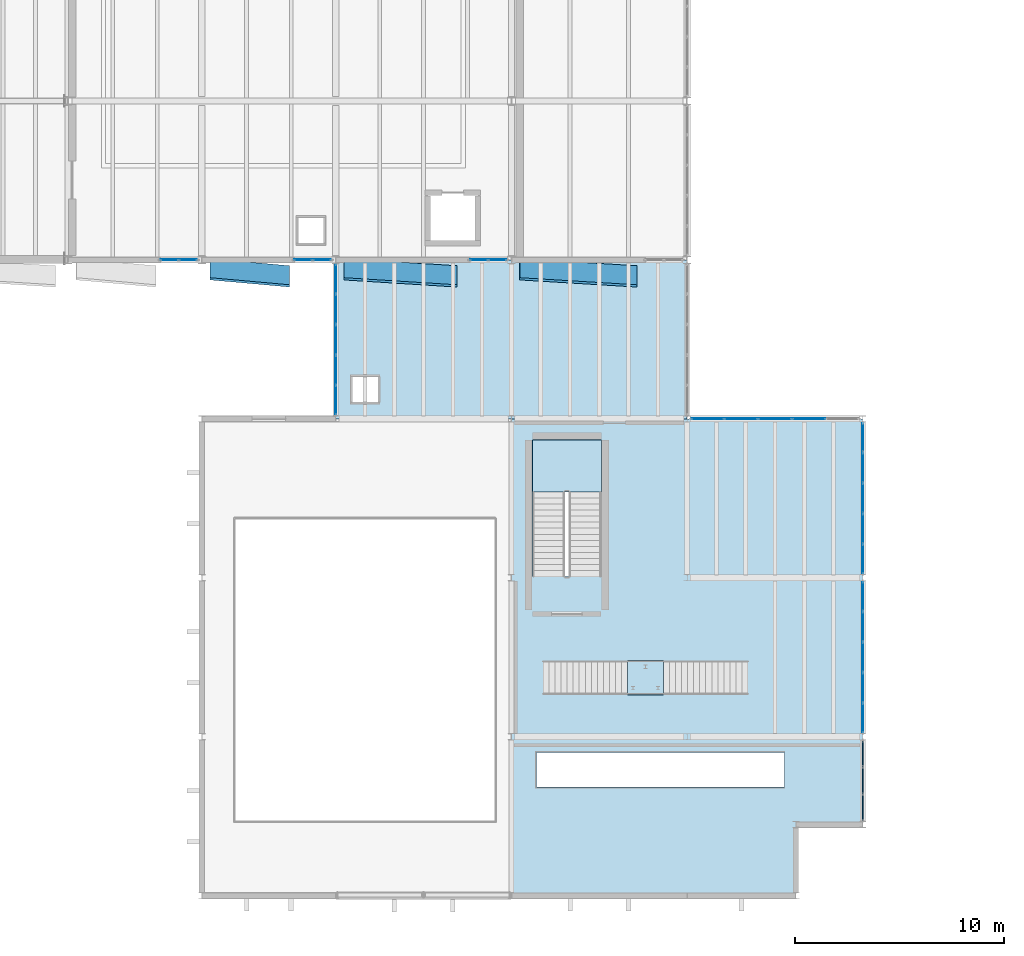
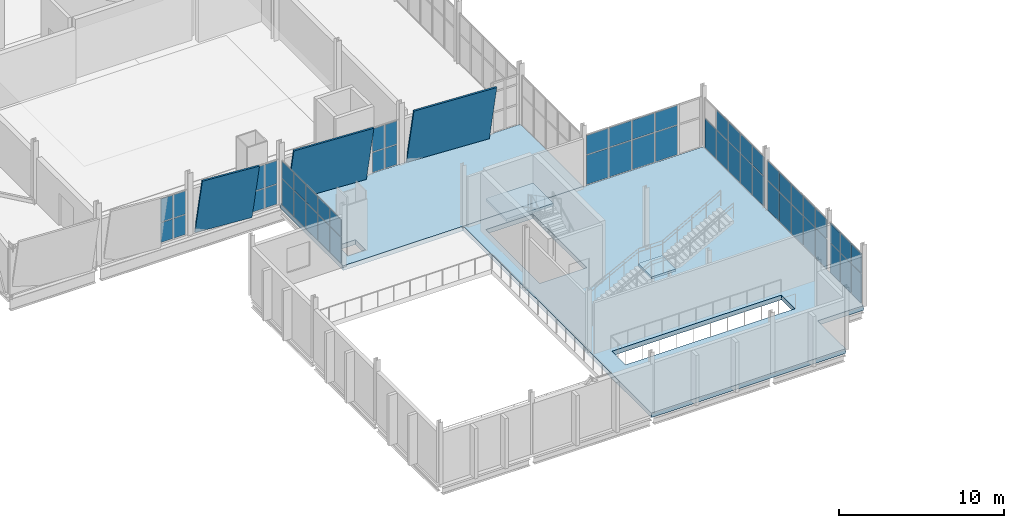
# One storey, part 127 of 172: 58 plates, 4 slabs, 10 elements without a shape of their own.
"""IFC4 building model written with IfcOpenShell, lengths in metres."""

from ifc_helpers import new_model, si_unit, direction, frame, origin, origin_2d, place, context, subcontext, project, spatial, polyline, rectangle, outline, extrude, material, layer, layer_set, type_object, element, aggregate, save


model = new_model("IFC4")

# Units and contexts
model_context = context("Model", 3, precision=1e-05, world=origin(), true_north=direction((0.0, 1.0)))
body_context = subcontext(model_context, "Body", "Model", "MODEL_VIEW")
ifc_project = project(units=[si_unit("LENGTHUNIT", "METRE"), si_unit("AREAUNIT", "SQUARE_METRE"), si_unit("VOLUMEUNIT", "CUBIC_METRE"), si_unit("PLANEANGLEUNIT", "RADIAN"), si_unit("MASSUNIT", "GRAM", prefix="KILO")], contexts=[model_context])

# Site, building, storey
site_placement = place(None, origin())
site = spatial("IfcSite", under=ifc_project, at=site_placement, CompositionType="ELEMENT")
building_placement = place(site_placement, origin())
building = spatial("IfcBuilding", under=site, at=building_placement, Name="Shengluoqiao Park Theatre", CompositionType="ELEMENT")
storey_placement = place(building_placement, frame((0.0, 0.0, 5.39990234375)))
storey = spatial("IfcBuildingStorey", under=building, at=storey_placement, Name="L01", CompositionType="ELEMENT", Elevation=5.39990234375)

# Plates
ifc_material_1 = material(Name="Precast concrete C45", Category="concrete")
ifc_layer_1 = layer(ifc_material_1, 0.110107421875, Name="Precast concrete C45")
ifc_layer_set_1 = layer_set([ifc_layer_1], Name="Precast concrete C45")
plate_type_1 = type_object("IfcPlateType", Name="ENV-CRYS-CP-110", PredefinedType="USERDEFINED", material=ifc_layer_set_1)
plate_1_placement = place(storey_placement, frame((13.199951171875, 30.4599609375, 0.0), z_axis=(0.08723851768, 0.975129283801, 0.203745726105), x_axis=(0.996022118614, -0.089106336429, -6.356847e-06)))
element("IfcPlate", 1, at=plate_1_placement, inside=storey, type_object=plate_type_1, Name="V3 South L01 Tilted White Precast Crystal Panel 015", ObjectType="FACADE PANEL", PredefinedType="USERDEFINED", context=body_context, shape_type="SweptSolid", body=[
    extrude(outline(polyline([(0.0, 0.0), (3.8152149161454947, 0.0), (3.8963749065321047, -4.453550580614853), (0.08113823590994293, -4.453501035740747), (0.0, 0.0)])), origin(), (0.0, 0.0, -1.0), 0.110107421875),
])
plate_2_placement = place(storey_placement, frame((19.60009765625, 30.4599609375, 0.0), z_axis=(0.061510229157, 0.977007718847, 0.204138210587), x_axis=(0.998024090568, -0.062832432908, -4.499747e-06)))
element("IfcPlate", 2, at=plate_2_placement, inside=storey, type_object=plate_type_1, Name="V3 South L01 Tilted White Precast Crystal Panel 016", ObjectType="FACADE PANEL", PredefinedType="USERDEFINED", context=body_context, shape_type="SweptSolid", body=[
    extrude(outline(polyline([(0.0, 0.0), (5.410585835399618, 0.0), (5.467814907332268, -4.453922378242074), (0.057213731983209656, -4.453872638220405), (0.0, 0.0)])), origin(), (0.0, 0.0, -1.0), 0.110107421875),
])
plate_3_placement = place(storey_placement, frame((28.0, 30.4599609375, 0.0), z_axis=(0.059319208626, 0.977137527794, 0.204165333163), x_axis=(0.99816245502, -0.060594664537, -4.340642e-06)))
element("IfcPlate", 3, at=plate_3_placement, inside=storey, type_object=plate_type_1, Name="V3 South L01 Tilted White Precast Crystal Panel 017", ObjectType="FACADE PANEL", PredefinedType="USERDEFINED", context=body_context, shape_type="SweptSolid", body=[
    extrude(outline(polyline([(0.0, 0.0), (5.6103999429384, 0.0), (5.6655908043965715, -4.453948101054561), (0.05517606783889902, -4.453898347532182), (0.0, 0.0)])), origin(), (0.0, 0.0, -1.0), 0.110107421875),
])

# Curtain wall, plates
ifc_material_2 = material(Name="Aluminium 6063-T6", Category="aluminium")
curtain_wall_type_1 = type_object("IfcCurtainWallType", Name="ENV-CW-STUDIO", PredefinedType="NOTDEFINED", material=ifc_material_2)
curtain_wall_1_placement = place(storey_placement, origin())
curtain_wall_1 = element("IfcCurtainWall", 4, at=curtain_wall_1_placement, inside=storey, type_object=curtain_wall_type_1, Name="L01 Curtain Wall CWX-L01-0016", PredefinedType="NOTDEFINED")
ifc_material_3 = material(Name="Insulated glass", Category="glass")
ifc_layer_2 = layer(ifc_material_3, 0.0380859375, Name="Insulated glass")
ifc_layer_set_2 = layer_set([ifc_layer_2], Name="Insulated glass")
plate_type_2 = type_object("IfcPlateType", Name="ENV-GLZ-GL-38", PredefinedType="CURTAIN_PANEL", material=ifc_layer_set_2)
plate_4_placement = place(storey_placement, frame((11.24462890625, 30.39990234375, 0.06005859375), z_axis=(0.0, 0.0, 1.0), x_axis=(1.0, 0.0, 0.0)))
plate_4 = element("IfcPlate", 5, at=plate_4_placement, type_object=plate_type_2, Name="CW-02 panel 1.1", PredefinedType="CURTAIN_PANEL", context=body_context, shape_type="SweptSolid", body=[
    extrude(rectangle(XDim=0.83740234375, YDim=0.0380859375, at=origin_2d()), origin(), (0.0, 0.0, 1.0), 1.4599609375),
])
plate_5_placement = place(storey_placement, frame((11.24462890625, 30.39990234375, 1.580078125), z_axis=(0.0, 0.0, 1.0), x_axis=(1.0, 0.0, 0.0)))
plate_5 = element("IfcPlate", 6, at=plate_5_placement, type_object=plate_type_2, Name="CW-02 panel 1.2", PredefinedType="CURTAIN_PANEL", context=body_context, shape_type="SweptSolid", body=[
    extrude(rectangle(XDim=0.83740234375, YDim=0.0380859375, at=origin_2d()), origin(), (0.0, 0.0, 1.0), 1.697998046875),
])
plate_6_placement = place(storey_placement, frame((12.142333984375, 30.39990234375, 0.06005859375), z_axis=(0.0, 0.0, 1.0), x_axis=(1.0, 0.0, 0.0)))
plate_6 = element("IfcPlate", 7, at=plate_6_placement, type_object=plate_type_2, Name="CW-02 panel 2.1", PredefinedType="CURTAIN_PANEL", context=body_context, shape_type="SweptSolid", body=[
    extrude(rectangle(XDim=0.83740234375, YDim=0.0380859375, at=origin_2d()), origin(), (0.0, 0.0, 1.0), 1.4599609375),
])
plate_7_placement = place(storey_placement, frame((12.142333984375, 30.39990234375, 1.580078125), z_axis=(0.0, 0.0, 1.0), x_axis=(1.0, 0.0, 0.0)))
plate_7 = element("IfcPlate", 8, at=plate_7_placement, type_object=plate_type_2, Name="CW-02 panel 2.2", PredefinedType="CURTAIN_PANEL", context=body_context, shape_type="SweptSolid", body=[
    extrude(rectangle(XDim=0.83740234375, YDim=0.0380859375, at=origin_2d()), origin(), (0.0, 0.0, 1.0), 1.697998046875),
])
aggregate(curtain_wall_1, [plate_4, plate_5, plate_6, plate_7])

curtain_wall_2_placement = place(storey_placement, origin())
curtain_wall_2 = element("IfcCurtainWall", 9, at=curtain_wall_2_placement, inside=storey, type_object=curtain_wall_type_1, Name="L01 Curtain Wall CWX-L01-0017", PredefinedType="NOTDEFINED")
plate_8_placement = place(storey_placement, frame((17.644775390625, 30.39990234375, 0.06005859375), z_axis=(0.0, 0.0, 1.0), x_axis=(1.0, 0.0, 0.0)))
plate_8 = element("IfcPlate", 10, at=plate_8_placement, type_object=plate_type_2, Name="CW-02 panel 1.1", PredefinedType="CURTAIN_PANEL", context=body_context, shape_type="SweptSolid", body=[
    extrude(rectangle(XDim=0.83740234375, YDim=0.0380859375, at=origin_2d()), origin(), (0.0, 0.0, 1.0), 1.4599609375),
])
plate_9_placement = place(storey_placement, frame((17.644775390625, 30.39990234375, 1.580078125), z_axis=(0.0, 0.0, 1.0), x_axis=(1.0, 0.0, 0.0)))
plate_9 = element("IfcPlate", 11, at=plate_9_placement, type_object=plate_type_2, Name="CW-02 panel 1.2", PredefinedType="CURTAIN_PANEL", context=body_context, shape_type="SweptSolid", body=[
    extrude(rectangle(XDim=0.83740234375, YDim=0.0380859375, at=origin_2d()), origin(), (0.0, 0.0, 1.0), 1.697998046875),
])
plate_10_placement = place(storey_placement, frame((18.542236328125, 30.39990234375, 0.06005859375), z_axis=(0.0, 0.0, 1.0), x_axis=(1.0, 0.0, 0.0)))
plate_10 = element("IfcPlate", 12, at=plate_10_placement, type_object=plate_type_2, Name="CW-02 panel 2.1", PredefinedType="CURTAIN_PANEL", context=body_context, shape_type="SweptSolid", body=[
    extrude(rectangle(XDim=0.83740234375, YDim=0.0380859375, at=origin_2d()), origin(), (0.0, 0.0, 1.0), 1.4599609375),
])
plate_11_placement = place(storey_placement, frame((18.542236328125, 30.39990234375, 1.580078125), z_axis=(0.0, 0.0, 1.0), x_axis=(1.0, 0.0, 0.0)))
plate_11 = element("IfcPlate", 13, at=plate_11_placement, type_object=plate_type_2, Name="CW-02 panel 2.2", PredefinedType="CURTAIN_PANEL", context=body_context, shape_type="SweptSolid", body=[
    extrude(rectangle(XDim=0.83740234375, YDim=0.0380859375, at=origin_2d()), origin(), (0.0, 0.0, 1.0), 1.697998046875),
])
aggregate(curtain_wall_2, [plate_8, plate_9, plate_10, plate_11])

curtain_wall_3_placement = place(storey_placement, origin())
curtain_wall_3 = element("IfcCurtainWall", 14, at=curtain_wall_3_placement, inside=storey, type_object=curtain_wall_type_1, Name="L01 Curtain Wall CWX-L01-0018", PredefinedType="NOTDEFINED")
plate_12_placement = place(storey_placement, frame((26.044677734375, 30.39990234375, 0.06005859375), z_axis=(0.0, 0.0, 1.0), x_axis=(1.0, 0.0, 0.0)))
plate_12 = element("IfcPlate", 15, at=plate_12_placement, type_object=plate_type_2, Name="CW-02 panel 1.1", PredefinedType="CURTAIN_PANEL", context=body_context, shape_type="SweptSolid", body=[
    extrude(rectangle(XDim=0.83740234375, YDim=0.0380859375, at=origin_2d()), origin(), (0.0, 0.0, 1.0), 1.4599609375),
])
plate_13_placement = place(storey_placement, frame((26.044677734375, 30.39990234375, 1.580078125), z_axis=(0.0, 0.0, 1.0), x_axis=(1.0, 0.0, 0.0)))
plate_13 = element("IfcPlate", 16, at=plate_13_placement, type_object=plate_type_2, Name="CW-02 panel 1.2", PredefinedType="CURTAIN_PANEL", context=body_context, shape_type="SweptSolid", body=[
    extrude(rectangle(XDim=0.83740234375, YDim=0.0380859375, at=origin_2d()), origin(), (0.0, 0.0, 1.0), 1.697998046875),
])
plate_14_placement = place(storey_placement, frame((26.942138671875, 30.39990234375, 0.06005859375), z_axis=(0.0, 0.0, 1.0), x_axis=(1.0, 0.0, 0.0)))
plate_14 = element("IfcPlate", 17, at=plate_14_placement, type_object=plate_type_2, Name="CW-02 panel 2.1", PredefinedType="CURTAIN_PANEL", context=body_context, shape_type="SweptSolid", body=[
    extrude(rectangle(XDim=0.83740234375, YDim=0.0380859375, at=origin_2d()), origin(), (0.0, 0.0, 1.0), 1.4599609375),
])
plate_15_placement = place(storey_placement, frame((26.942138671875, 30.39990234375, 1.580078125), z_axis=(0.0, 0.0, 1.0), x_axis=(1.0, 0.0, 0.0)))
plate_15 = element("IfcPlate", 18, at=plate_15_placement, type_object=plate_type_2, Name="CW-02 panel 2.2", PredefinedType="CURTAIN_PANEL", context=body_context, shape_type="SweptSolid", body=[
    extrude(rectangle(XDim=0.83740234375, YDim=0.0380859375, at=origin_2d()), origin(), (0.0, 0.0, 1.0), 1.697998046875),
])
aggregate(curtain_wall_3, [plate_12, plate_13, plate_14, plate_15])

curtain_wall_type_2 = type_object("IfcCurtainWallType", Name="ENV-CW-COURT", PredefinedType="NOTDEFINED", material=ifc_material_2)
curtain_wall_4_placement = place(storey_placement, origin())
curtain_wall_4 = element("IfcCurtainWall", 19, at=curtain_wall_4_placement, inside=storey, type_object=curtain_wall_type_2, Name="L01 Curtain Wall CWX-L01-0156", PredefinedType="NOTDEFINED")
plate_16_placement = place(storey_placement, frame((44.39990234375, 8.498291015625, 0.06005859375), z_axis=(0.0, 0.0, 1.0), x_axis=(0.0, 1.0, 0.0)))
plate_16 = element("IfcPlate", 20, at=plate_16_placement, type_object=plate_type_2, Name="CW-05 panel 1.1", PredefinedType="CURTAIN_PANEL", context=body_context, shape_type="SweptSolid", body=[
    extrude(rectangle(XDim=1.368408203125, YDim=0.0380859375, at=origin_2d()), origin(), (0.0, 0.0, 1.0), 2.1640625),
])
plate_17_placement = place(storey_placement, frame((44.39990234375, 8.498291015625, 2.283935546875), z_axis=(0.0, 0.0, 1.0), x_axis=(0.0, 1.0, 0.0)))
plate_17 = element("IfcPlate", 21, at=plate_17_placement, type_object=plate_type_2, Name="CW-05 panel 1.2", PredefinedType="CURTAIN_PANEL", context=body_context, shape_type="SweptSolid", body=[
    extrude(rectangle(XDim=1.368408203125, YDim=0.0380859375, at=origin_2d()), origin(), (0.0, 0.0, 1.0), 1.412109375),
])
plate_18_placement = place(storey_placement, frame((44.39990234375, 9.941650390625, 0.06005859375), z_axis=(0.0, 0.0, 1.0), x_axis=(0.0, 1.0, 0.0)))
plate_18 = element("IfcPlate", 22, at=plate_18_placement, type_object=plate_type_2, Name="CW-05 panel 2.1", PredefinedType="CURTAIN_PANEL", context=body_context, shape_type="SweptSolid", body=[
    extrude(rectangle(XDim=1.3984375, YDim=0.0380859375, at=origin_2d()), origin(), (0.0, 0.0, 1.0), 2.1640625),
])
plate_19_placement = place(storey_placement, frame((44.39990234375, 9.941650390625, 2.283935546875), z_axis=(0.0, 0.0, 1.0), x_axis=(0.0, 1.0, 0.0)))
plate_19 = element("IfcPlate", 23, at=plate_19_placement, type_object=plate_type_2, Name="CW-05 panel 2.2", PredefinedType="CURTAIN_PANEL", context=body_context, shape_type="SweptSolid", body=[
    extrude(rectangle(XDim=1.3984375, YDim=0.0380859375, at=origin_2d()), origin(), (0.0, 0.0, 1.0), 1.412109375),
])
plate_20_placement = place(storey_placement, frame((44.39990234375, 11.39990234375, 0.06005859375), z_axis=(0.0, 0.0, 1.0), x_axis=(0.0, 1.0, 0.0)))
plate_20 = element("IfcPlate", 24, at=plate_20_placement, type_object=plate_type_2, Name="CW-05 panel 3.1", PredefinedType="CURTAIN_PANEL", context=body_context, shape_type="SweptSolid", body=[
    extrude(rectangle(XDim=1.3984375, YDim=0.0380859375, at=origin_2d()), origin(), (0.0, 0.0, 1.0), 2.1640625),
])
plate_21_placement = place(storey_placement, frame((44.39990234375, 11.39990234375, 2.283935546875), z_axis=(0.0, 0.0, 1.0), x_axis=(0.0, 1.0, 0.0)))
plate_21 = element("IfcPlate", 25, at=plate_21_placement, type_object=plate_type_2, Name="CW-05 panel 3.2", PredefinedType="CURTAIN_PANEL", context=body_context, shape_type="SweptSolid", body=[
    extrude(rectangle(XDim=1.3984375, YDim=0.0380859375, at=origin_2d()), origin(), (0.0, 0.0, 1.0), 1.412109375),
])
plate_22_placement = place(storey_placement, frame((44.39990234375, 12.8583984375, 0.06005859375), z_axis=(0.0, 0.0, 1.0), x_axis=(0.0, 1.0, 0.0)))
plate_22 = element("IfcPlate", 26, at=plate_22_placement, type_object=plate_type_2, Name="CW-05 panel 4.1", PredefinedType="CURTAIN_PANEL", context=body_context, shape_type="SweptSolid", body=[
    extrude(rectangle(XDim=1.3984375, YDim=0.0380859375, at=origin_2d()), origin(), (0.0, 0.0, 1.0), 2.1640625),
])
plate_23_placement = place(storey_placement, frame((44.39990234375, 12.8583984375, 2.283935546875), z_axis=(0.0, 0.0, 1.0), x_axis=(0.0, 1.0, 0.0)))
plate_23 = element("IfcPlate", 27, at=plate_23_placement, type_object=plate_type_2, Name="CW-05 panel 4.2", PredefinedType="CURTAIN_PANEL", context=body_context, shape_type="SweptSolid", body=[
    extrude(rectangle(XDim=1.3984375, YDim=0.0380859375, at=origin_2d()), origin(), (0.0, 0.0, 1.0), 1.412109375),
])
plate_24_placement = place(storey_placement, frame((44.39990234375, 14.3017578125, 0.06005859375), z_axis=(0.0, 0.0, 1.0), x_axis=(0.0, 1.0, 0.0)))
plate_24 = element("IfcPlate", 28, at=plate_24_placement, type_object=plate_type_2, Name="CW-05 panel 5.1", PredefinedType="CURTAIN_PANEL", context=body_context, shape_type="SweptSolid", body=[
    extrude(rectangle(XDim=1.368408203125, YDim=0.0380859375, at=origin_2d()), origin(), (0.0, 0.0, 1.0), 2.1640625),
])
plate_25_placement = place(storey_placement, frame((44.39990234375, 14.3017578125, 2.283935546875), z_axis=(0.0, 0.0, 1.0), x_axis=(0.0, 1.0, 0.0)))
plate_25 = element("IfcPlate", 29, at=plate_25_placement, type_object=plate_type_2, Name="CW-05 panel 5.2", PredefinedType="CURTAIN_PANEL", context=body_context, shape_type="SweptSolid", body=[
    extrude(rectangle(XDim=1.368408203125, YDim=0.0380859375, at=origin_2d()), origin(), (0.0, 0.0, 1.0), 1.412109375),
])
aggregate(curtain_wall_4, [plate_16, plate_17, plate_18, plate_19, plate_20, plate_21, plate_22, plate_23, plate_24, plate_25])

curtain_wall_5_placement = place(storey_placement, origin())
curtain_wall_5 = element("IfcCurtainWall", 30, at=curtain_wall_5_placement, inside=storey, type_object=curtain_wall_type_2, Name="L01 Curtain Wall CWX-L01-0157", PredefinedType="NOTDEFINED")
plate_26_placement = place(storey_placement, frame((44.39990234375, 16.09814453125, 0.06005859375), z_axis=(0.0, 0.0, 1.0), x_axis=(0.0, 1.0, 0.0)))
plate_26 = element("IfcPlate", 31, at=plate_26_placement, type_object=plate_type_2, Name="CW-05 panel 1.1", PredefinedType="CURTAIN_PANEL", context=body_context, shape_type="SweptSolid", body=[
    extrude(rectangle(XDim=1.368408203125, YDim=0.0380859375, at=origin_2d()), origin(), (0.0, 0.0, 1.0), 2.1640625),
])
plate_27_placement = place(storey_placement, frame((44.39990234375, 16.09814453125, 2.283935546875), z_axis=(0.0, 0.0, 1.0), x_axis=(0.0, 1.0, 0.0)))
plate_27 = element("IfcPlate", 32, at=plate_27_placement, type_object=plate_type_2, Name="CW-05 panel 1.2", PredefinedType="CURTAIN_PANEL", context=body_context, shape_type="SweptSolid", body=[
    extrude(rectangle(XDim=1.368408203125, YDim=0.0380859375, at=origin_2d()), origin(), (0.0, 0.0, 1.0), 1.412109375),
])
plate_28_placement = place(storey_placement, frame((44.39990234375, 17.54150390625, 0.06005859375), z_axis=(0.0, 0.0, 1.0), x_axis=(0.0, 1.0, 0.0)))
plate_28 = element("IfcPlate", 33, at=plate_28_placement, type_object=plate_type_2, Name="CW-05 panel 2.1", PredefinedType="CURTAIN_PANEL", context=body_context, shape_type="SweptSolid", body=[
    extrude(rectangle(XDim=1.3984375, YDim=0.0380859375, at=origin_2d()), origin(), (0.0, 0.0, 1.0), 2.1640625),
])
plate_29_placement = place(storey_placement, frame((44.39990234375, 17.54150390625, 2.283935546875), z_axis=(0.0, 0.0, 1.0), x_axis=(0.0, 1.0, 0.0)))
plate_29 = element("IfcPlate", 34, at=plate_29_placement, type_object=plate_type_2, Name="CW-05 panel 2.2", PredefinedType="CURTAIN_PANEL", context=body_context, shape_type="SweptSolid", body=[
    extrude(rectangle(XDim=1.3984375, YDim=0.0380859375, at=origin_2d()), origin(), (0.0, 0.0, 1.0), 1.412109375),
])
plate_30_placement = place(storey_placement, frame((44.39990234375, 19.0, 0.06005859375), z_axis=(0.0, 0.0, 1.0), x_axis=(0.0, 1.0, 0.0)))
plate_30 = element("IfcPlate", 35, at=plate_30_placement, type_object=plate_type_2, Name="CW-05 panel 3.1", PredefinedType="CURTAIN_PANEL", context=body_context, shape_type="SweptSolid", body=[
    extrude(rectangle(XDim=1.3984375, YDim=0.0380859375, at=origin_2d()), origin(), (0.0, 0.0, 1.0), 2.1640625),
])
plate_31_placement = place(storey_placement, frame((44.39990234375, 19.0, 2.283935546875), z_axis=(0.0, 0.0, 1.0), x_axis=(0.0, 1.0, 0.0)))
plate_31 = element("IfcPlate", 36, at=plate_31_placement, type_object=plate_type_2, Name="CW-05 panel 3.2", PredefinedType="CURTAIN_PANEL", context=body_context, shape_type="SweptSolid", body=[
    extrude(rectangle(XDim=1.3984375, YDim=0.0380859375, at=origin_2d()), origin(), (0.0, 0.0, 1.0), 1.412109375),
])
plate_32_placement = place(storey_placement, frame((44.39990234375, 20.45849609375, 0.06005859375), z_axis=(0.0, 0.0, 1.0), x_axis=(0.0, 1.0, 0.0)))
plate_32 = element("IfcPlate", 37, at=plate_32_placement, type_object=plate_type_2, Name="CW-05 panel 4.1", PredefinedType="CURTAIN_PANEL", context=body_context, shape_type="SweptSolid", body=[
    extrude(rectangle(XDim=1.3984375, YDim=0.0380859375, at=origin_2d()), origin(), (0.0, 0.0, 1.0), 2.1640625),
])
plate_33_placement = place(storey_placement, frame((44.39990234375, 20.45849609375, 2.283935546875), z_axis=(0.0, 0.0, 1.0), x_axis=(0.0, 1.0, 0.0)))
plate_33 = element("IfcPlate", 38, at=plate_33_placement, type_object=plate_type_2, Name="CW-05 panel 4.2", PredefinedType="CURTAIN_PANEL", context=body_context, shape_type="SweptSolid", body=[
    extrude(rectangle(XDim=1.3984375, YDim=0.0380859375, at=origin_2d()), origin(), (0.0, 0.0, 1.0), 1.412109375),
])
plate_34_placement = place(storey_placement, frame((44.39990234375, 21.90185546875, 0.06005859375), z_axis=(0.0, 0.0, 1.0), x_axis=(0.0, 1.0, 0.0)))
plate_34 = element("IfcPlate", 39, at=plate_34_placement, type_object=plate_type_2, Name="CW-05 panel 5.1", PredefinedType="CURTAIN_PANEL", context=body_context, shape_type="SweptSolid", body=[
    extrude(rectangle(XDim=1.368408203125, YDim=0.0380859375, at=origin_2d()), origin(), (0.0, 0.0, 1.0), 2.1640625),
])
aggregate(curtain_wall_5, [plate_26, plate_27, plate_28, plate_29, plate_30, plate_31, plate_32, plate_33, plate_34])

curtain_wall_6_placement = place(storey_placement, origin())
curtain_wall_6 = element("IfcCurtainWall", 40, at=curtain_wall_6_placement, inside=storey, type_object=curtain_wall_type_2, Name="L01 Curtain Wall CWX-L01-0158", PredefinedType="NOTDEFINED")
plate_35_placement = place(storey_placement, frame((36.978271484375, 22.800048828125, 0.06005859375), z_axis=(0.0, 0.0, 1.0), x_axis=(1.0, 0.0, 0.0)))
plate_35 = element("IfcPlate", 41, at=plate_35_placement, type_object=plate_type_2, Name="CW-05 panel 1.1", PredefinedType="CURTAIN_PANEL", context=body_context, shape_type="SweptSolid", body=[
    extrude(rectangle(XDim=1.5283203125, YDim=0.0380859375, at=origin_2d()), origin(), (0.0, 0.0, 1.0), 2.1640625),
])
plate_36_placement = place(storey_placement, frame((36.978271484375, 22.800048828125, 2.283935546875), z_axis=(0.0, 0.0, 1.0), x_axis=(1.0, 0.0, 0.0)))
plate_36 = element("IfcPlate", 42, at=plate_36_placement, type_object=plate_type_2, Name="CW-05 panel 1.2", PredefinedType="CURTAIN_PANEL", context=body_context, shape_type="SweptSolid", body=[
    extrude(rectangle(XDim=1.5283203125, YDim=0.0380859375, at=origin_2d()), origin(), (0.0, 0.0, 1.0), 1.412109375),
])
plate_37_placement = place(storey_placement, frame((38.58154296875, 22.800048828125, 0.06005859375), z_axis=(0.0, 0.0, 1.0), x_axis=(1.0, 0.0, 0.0)))
plate_37 = element("IfcPlate", 43, at=plate_37_placement, type_object=plate_type_2, Name="CW-05 panel 2.1", PredefinedType="CURTAIN_PANEL", context=body_context, shape_type="SweptSolid", body=[
    extrude(rectangle(XDim=1.558349609375, YDim=0.0380859375, at=origin_2d()), origin(), (0.0, 0.0, 1.0), 2.1640625),
])
plate_38_placement = place(storey_placement, frame((38.58154296875, 22.800048828125, 2.283935546875), z_axis=(0.0, 0.0, 1.0), x_axis=(1.0, 0.0, 0.0)))
plate_38 = element("IfcPlate", 44, at=plate_38_placement, type_object=plate_type_2, Name="CW-05 panel 2.2", PredefinedType="CURTAIN_PANEL", context=body_context, shape_type="SweptSolid", body=[
    extrude(rectangle(XDim=1.558349609375, YDim=0.0380859375, at=origin_2d()), origin(), (0.0, 0.0, 1.0), 1.412109375),
])
plate_39_placement = place(storey_placement, frame((40.199951171875, 22.800048828125, 0.06005859375), z_axis=(0.0, 0.0, 1.0), x_axis=(1.0, 0.0, 0.0)))
plate_39 = element("IfcPlate", 45, at=plate_39_placement, type_object=plate_type_2, Name="CW-05 panel 3.1", PredefinedType="CURTAIN_PANEL", context=body_context, shape_type="SweptSolid", body=[
    extrude(rectangle(XDim=1.558349609375, YDim=0.0380859375, at=origin_2d()), origin(), (0.0, 0.0, 1.0), 2.1640625),
])
plate_40_placement = place(storey_placement, frame((40.199951171875, 22.800048828125, 2.283935546875), z_axis=(0.0, 0.0, 1.0), x_axis=(1.0, 0.0, 0.0)))
plate_40 = element("IfcPlate", 46, at=plate_40_placement, type_object=plate_type_2, Name="CW-05 panel 3.2", PredefinedType="CURTAIN_PANEL", context=body_context, shape_type="SweptSolid", body=[
    extrude(rectangle(XDim=1.558349609375, YDim=0.0380859375, at=origin_2d()), origin(), (0.0, 0.0, 1.0), 1.412109375),
])
plate_41_placement = place(storey_placement, frame((41.818359375, 22.800048828125, 0.06005859375), z_axis=(0.0, 0.0, 1.0), x_axis=(1.0, 0.0, 0.0)))
plate_41 = element("IfcPlate", 47, at=plate_41_placement, type_object=plate_type_2, Name="CW-05 panel 4.1", PredefinedType="CURTAIN_PANEL", context=body_context, shape_type="SweptSolid", body=[
    extrude(rectangle(XDim=1.558349609375, YDim=0.0380859375, at=origin_2d()), origin(), (0.0, 0.0, 1.0), 2.1640625),
])
plate_42_placement = place(storey_placement, frame((41.818359375, 22.800048828125, 2.283935546875), z_axis=(0.0, 0.0, 1.0), x_axis=(1.0, 0.0, 0.0)))
plate_42 = element("IfcPlate", 48, at=plate_42_placement, type_object=plate_type_2, Name="CW-05 panel 4.2", PredefinedType="CURTAIN_PANEL", context=body_context, shape_type="SweptSolid", body=[
    extrude(rectangle(XDim=1.558349609375, YDim=0.0380859375, at=origin_2d()), origin(), (0.0, 0.0, 1.0), 1.412109375),
])
aggregate(curtain_wall_6, [plate_35, plate_36, plate_37, plate_38, plate_39, plate_40, plate_41, plate_42])

curtain_wall_7_placement = place(storey_placement, origin())
curtain_wall_7 = element("IfcCurtainWall", 49, at=curtain_wall_7_placement, inside=storey, type_object=curtain_wall_type_2, Name="L01 Curtain Wall CWX-L01-0159", PredefinedType="NOTDEFINED")
plate_43_placement = place(storey_placement, frame((19.199951171875, 23.69580078125, 0.06005859375), z_axis=(0.0, 0.0, 1.0), x_axis=(0.0, 1.0, 0.0)))
plate_43 = element("IfcPlate", 50, at=plate_43_placement, type_object=plate_type_2, Name="CW-05 panel 1.1", PredefinedType="CURTAIN_PANEL", context=body_context, shape_type="SweptSolid", body=[
    extrude(rectangle(XDim=1.36328125, YDim=0.0380859375, at=origin_2d()), origin(), (0.0, 0.0, 1.0), 1.9130859375),
])
plate_44_placement = place(storey_placement, frame((19.199951171875, 23.69580078125, 2.032958984375), z_axis=(0.0, 0.0, 1.0), x_axis=(0.0, 1.0, 0.0)))
plate_44 = element("IfcPlate", 51, at=plate_44_placement, type_object=plate_type_2, Name="CW-05 panel 1.2", PredefinedType="CURTAIN_PANEL", context=body_context, shape_type="SweptSolid", body=[
    extrude(rectangle(XDim=1.36328125, YDim=0.0380859375, at=origin_2d()), origin(), (0.0, 0.0, 1.0), 1.2451171875),
])
plate_45_placement = place(storey_placement, frame((19.199951171875, 25.134033203125, 0.06005859375), z_axis=(0.0, 0.0, 1.0), x_axis=(0.0, 1.0, 0.0)))
plate_45 = element("IfcPlate", 52, at=plate_45_placement, type_object=plate_type_2, Name="CW-05 panel 2.1", PredefinedType="CURTAIN_PANEL", context=body_context, shape_type="SweptSolid", body=[
    extrude(rectangle(XDim=1.393310546875, YDim=0.0380859375, at=origin_2d()), origin(), (0.0, 0.0, 1.0), 1.9130859375),
])
plate_46_placement = place(storey_placement, frame((19.199951171875, 25.134033203125, 2.032958984375), z_axis=(0.0, 0.0, 1.0), x_axis=(0.0, 1.0, 0.0)))
plate_46 = element("IfcPlate", 53, at=plate_46_placement, type_object=plate_type_2, Name="CW-05 panel 2.2", PredefinedType="CURTAIN_PANEL", context=body_context, shape_type="SweptSolid", body=[
    extrude(rectangle(XDim=1.393310546875, YDim=0.0380859375, at=origin_2d()), origin(), (0.0, 0.0, 1.0), 1.2451171875),
])
plate_47_placement = place(storey_placement, frame((19.199951171875, 26.58740234375, 0.06005859375), z_axis=(0.0, 0.0, 1.0), x_axis=(0.0, 1.0, 0.0)))
plate_47 = element("IfcPlate", 54, at=plate_47_placement, type_object=plate_type_2, Name="CW-05 panel 3.1", PredefinedType="CURTAIN_PANEL", context=body_context, shape_type="SweptSolid", body=[
    extrude(rectangle(XDim=1.393310546875, YDim=0.0380859375, at=origin_2d()), origin(), (0.0, 0.0, 1.0), 1.9130859375),
])
plate_48_placement = place(storey_placement, frame((19.199951171875, 26.58740234375, 2.032958984375), z_axis=(0.0, 0.0, 1.0), x_axis=(0.0, 1.0, 0.0)))
plate_48 = element("IfcPlate", 55, at=plate_48_placement, type_object=plate_type_2, Name="CW-05 panel 3.2", PredefinedType="CURTAIN_PANEL", context=body_context, shape_type="SweptSolid", body=[
    extrude(rectangle(XDim=1.393310546875, YDim=0.0380859375, at=origin_2d()), origin(), (0.0, 0.0, 1.0), 1.2451171875),
])
plate_49_placement = place(storey_placement, frame((19.199951171875, 28.041015625, 0.06005859375), z_axis=(0.0, 0.0, 1.0), x_axis=(0.0, 1.0, 0.0)))
plate_49 = element("IfcPlate", 56, at=plate_49_placement, type_object=plate_type_2, Name="CW-05 panel 4.1", PredefinedType="CURTAIN_PANEL", context=body_context, shape_type="SweptSolid", body=[
    extrude(rectangle(XDim=1.393310546875, YDim=0.0380859375, at=origin_2d()), origin(), (0.0, 0.0, 1.0), 1.9130859375),
])
plate_50_placement = place(storey_placement, frame((19.199951171875, 28.041015625, 2.032958984375), z_axis=(0.0, 0.0, 1.0), x_axis=(0.0, 1.0, 0.0)))
plate_50 = element("IfcPlate", 57, at=plate_50_placement, type_object=plate_type_2, Name="CW-05 panel 4.2", PredefinedType="CURTAIN_PANEL", context=body_context, shape_type="SweptSolid", body=[
    extrude(rectangle(XDim=1.393310546875, YDim=0.0380859375, at=origin_2d()), origin(), (0.0, 0.0, 1.0), 1.2451171875),
])
plate_51_placement = place(storey_placement, frame((19.199951171875, 29.479248046875, 0.06005859375), z_axis=(0.0, 0.0, 1.0), x_axis=(0.0, 1.0, 0.0)))
plate_51 = element("IfcPlate", 58, at=plate_51_placement, type_object=plate_type_2, Name="CW-05 panel 5.1", PredefinedType="CURTAIN_PANEL", context=body_context, shape_type="SweptSolid", body=[
    extrude(rectangle(XDim=1.36328125, YDim=0.0380859375, at=origin_2d()), origin(), (0.0, 0.0, 1.0), 1.9130859375),
])
plate_52_placement = place(storey_placement, frame((19.199951171875, 29.479248046875, 2.032958984375), z_axis=(0.0, 0.0, 1.0), x_axis=(0.0, 1.0, 0.0)))
plate_52 = element("IfcPlate", 59, at=plate_52_placement, type_object=plate_type_2, Name="CW-05 panel 5.2", PredefinedType="CURTAIN_PANEL", context=body_context, shape_type="SweptSolid", body=[
    extrude(rectangle(XDim=1.36328125, YDim=0.0380859375, at=origin_2d()), origin(), (0.0, 0.0, 1.0), 1.2451171875),
])
aggregate(curtain_wall_7, [plate_43, plate_44, plate_45, plate_46, plate_47, plate_48, plate_49, plate_50, plate_51, plate_52])

curtain_wall_8_placement = place(storey_placement, origin())
curtain_wall_8 = element("IfcCurtainWall", 60, at=curtain_wall_8_placement, inside=storey, type_object=curtain_wall_type_2, Name="L01 Curtain Wall CWX-L01-0155", PredefinedType="NOTDEFINED")
ifc_layer_3 = layer(ifc_material_3, 0.05810546875, Name="Insulated glass")
ifc_layer_set_3 = layer_set([ifc_layer_3], Name="Insulated glass")
plate_type_3 = type_object("IfcPlateType", Name="ENV-GLZ-GL-58", PredefinedType="CURTAIN_PANEL", material=ifc_layer_set_3)
plate_53_placement = place(storey_placement, frame((44.39990234375, 4.2177734375, 0.06005859375), z_axis=(0.0, 0.0, 1.0), x_axis=(0.0, 1.0, 0.0)))
plate_53 = element("IfcPlate", 61, at=plate_53_placement, type_object=plate_type_3, Name="CW-05 panel 1.1", PredefinedType="CURTAIN_PANEL", context=body_context, shape_type="SweptSolid", body=[
    extrude(rectangle(XDim=1.207275390625, YDim=0.05810546875, at=origin_2d()), origin(), (0.0, 0.0, 1.0), 2.1640625),
])
plate_54_placement = place(storey_placement, frame((44.39990234375, 4.2177734375, 2.283935546875), z_axis=(0.0, 0.0, 1.0), x_axis=(0.0, 1.0, 0.0)))
plate_54 = element("IfcPlate", 62, at=plate_54_placement, type_object=plate_type_3, Name="CW-05 panel 1.2", PredefinedType="CURTAIN_PANEL", context=body_context, shape_type="SweptSolid", body=[
    extrude(rectangle(XDim=1.207275390625, YDim=0.05810546875, at=origin_2d()), origin(), (0.0, 0.0, 1.0), 1.412109375),
])
plate_55_placement = place(storey_placement, frame((44.39990234375, 5.5, 0.06005859375), z_axis=(0.0, 0.0, 1.0), x_axis=(0.0, 1.0, 0.0)))
plate_55 = element("IfcPlate", 63, at=plate_55_placement, type_object=plate_type_3, Name="CW-05 panel 2.1", PredefinedType="CURTAIN_PANEL", context=body_context, shape_type="SweptSolid", body=[
    extrude(rectangle(XDim=1.2373046875, YDim=0.05810546875, at=origin_2d()), origin(), (0.0, 0.0, 1.0), 2.1640625),
])
plate_56_placement = place(storey_placement, frame((44.39990234375, 5.5, 2.283935546875), z_axis=(0.0, 0.0, 1.0), x_axis=(0.0, 1.0, 0.0)))
plate_56 = element("IfcPlate", 64, at=plate_56_placement, type_object=plate_type_3, Name="CW-05 panel 2.2", PredefinedType="CURTAIN_PANEL", context=body_context, shape_type="SweptSolid", body=[
    extrude(rectangle(XDim=1.2373046875, YDim=0.05810546875, at=origin_2d()), origin(), (0.0, 0.0, 1.0), 1.412109375),
])
plate_57_placement = place(storey_placement, frame((44.39990234375, 6.7822265625, 0.06005859375), z_axis=(0.0, 0.0, 1.0), x_axis=(0.0, 1.0, 0.0)))
plate_57 = element("IfcPlate", 65, at=plate_57_placement, type_object=plate_type_3, Name="CW-05 panel 3.1", PredefinedType="CURTAIN_PANEL", context=body_context, shape_type="SweptSolid", body=[
    extrude(rectangle(XDim=1.207275390625, YDim=0.05810546875, at=origin_2d()), origin(), (0.0, 0.0, 1.0), 2.1640625),
])
plate_58_placement = place(storey_placement, frame((44.39990234375, 6.7822265625, 2.283935546875), z_axis=(0.0, 0.0, 1.0), x_axis=(0.0, 1.0, 0.0)))
plate_58 = element("IfcPlate", 66, at=plate_58_placement, type_object=plate_type_3, Name="CW-05 panel 3.2", PredefinedType="CURTAIN_PANEL", context=body_context, shape_type="SweptSolid", body=[
    extrude(rectangle(XDim=1.207275390625, YDim=0.05810546875, at=origin_2d()), origin(), (0.0, 0.0, 1.0), 1.412109375),
])
aggregate(curtain_wall_8, [plate_53, plate_54, plate_55, plate_56, plate_57, plate_58])

# Stair, slab
ifc_material_4 = material(Name="Concrete C40", Category="concrete")
stair_type_1 = type_object("IfcStairType", Name="INT-STR-CORE", PredefinedType="HALF_TURN_STAIR", material=ifc_material_4)
stair_1_placement = place(storey_placement, origin())
stair_1 = element("IfcStair", 67, at=stair_1_placement, inside=storey, type_object=stair_type_1, Name="L01 Studio and Black-Box Escape Stair 04", PredefinedType="HALF_TURN_STAIR")
ifc_layer_4 = layer(ifc_material_4, 0.169921875, Name="Concrete C40")
ifc_layer_set_4 = layer_set([ifc_layer_4], Name="Concrete C40")
slab_type_1 = type_object("IfcSlabType", Name="INT-LND-SL-170", PredefinedType="LANDING", material=ifc_layer_set_4)
slab_1_placement = place(storey_placement, frame((0.0, 0.0, 2.10009765625)))
slab_1 = element("IfcSlab", 68, at=slab_1_placement, type_object=slab_type_1, Name="ST-04 landing 1", PredefinedType="LANDING", context=body_context, shape_type="SweptSolid", body=[
    extrude(outline(polyline([(31.89990234375, 19.31005859375), (31.89990234375, 21.800048828125), (28.60009765625, 21.800048828125), (28.60009765625, 19.31005859375), (31.89990234375, 19.31005859375)])), origin(), (0.0, 0.0, 1.0), 0.199951171875),
])
aggregate(stair_1, [slab_1])

ifc_material_5 = material(Name="Steel Q355", Category="steel")
stair_type_2 = type_object("IfcStairType", Name="INT-STR-ST-F165", PredefinedType="STRAIGHT_RUN_STAIR", material=ifc_material_5)
stair_2_placement = place(storey_placement, origin())
stair_2 = element("IfcStair", 69, at=stair_2_placement, inside=storey, type_object=stair_type_2, Name="Park-Court Gallery Stair 08 Upper", PredefinedType="STRAIGHT_RUN_STAIR")
slab_2_placement = place(storey_placement, frame((0.0, 0.0, 2.130126953125)))
slab_2 = element("IfcSlab", 70, at=slab_2_placement, type_object=slab_type_1, Name="ST-08 landing 1", PredefinedType="LANDING", context=body_context, shape_type="SweptSolid", body=[
    extrude(outline(polyline([(33.159912109375, 9.60009765625), (34.860107421875, 9.60009765625), (34.860107421875, 11.25), (33.159912109375, 11.25), (33.159912109375, 9.60009765625)])), origin(), (0.0, 0.0, 1.0), 0.169921875),
])
aggregate(stair_2, [slab_2])

# Slabs
ifc_layer_5 = layer(ifc_material_4, 0.340087890625, Name="Concrete C40")
ifc_layer_set_5 = layer_set([ifc_layer_5], Name="Concrete C40")
slab_type_2 = type_object("IfcSlabType", Name="STR-SLB-FL340", PredefinedType="FLOOR", material=ifc_layer_set_5)
slab_3_placement = place(storey_placement, frame((0.0, 0.0, -0.33984375)))
element("IfcSlab", 71, at=slab_3_placement, inside=storey, type_object=slab_type_2, Name="Floor Slab L01-V4-GE", PredefinedType="FLOOR", context=body_context, shape_type="SweptSolid", body=[
    extrude(outline(polyline([(27.60009765625, 22.800048828125), (44.39990234375, 22.800048828125), (44.39990234375, 3.39990234375), (41.199951171875, 3.39990234375), (41.199951171875, 0.0), (27.60009765625, 0.0), (27.60009765625, 22.800048828125)]), holes=[polyline([(40.656005859375, 5.199951171875), (40.656005859375, 6.85009765625), (28.800048828125, 6.85009765625), (28.800048828125, 5.199951171875), (40.656005859375, 5.199951171875)]), polyline([(31.89990234375, 15.25390625), (31.89990234375, 21.800048828125), (28.60009765625, 21.800048828125), (28.60009765625, 15.25390625), (31.89990234375, 15.25390625)])]), origin(), (0.0, 0.0, 1.0), 0.33984375),
])
slab_4_placement = place(storey_placement, frame((0.0, 0.0, -0.33984375)))
element("IfcSlab", 72, at=slab_4_placement, inside=storey, type_object=slab_type_2, Name="Floor Slab L01-V4-LINK", PredefinedType="FLOOR", context=body_context, shape_type="SweptSolid", body=[
    extrude(outline(polyline([(19.199951171875, 22.800048828125), (19.199951171875, 30.39990234375), (36.0, 30.39990234375), (36.0, 22.800048828125), (19.199951171875, 22.800048828125)]), holes=[polyline([(21.219970703125, 23.60009765625), (21.219970703125, 24.820068359375), (20.0, 24.820068359375), (20.0, 23.60009765625), (21.219970703125, 23.60009765625)])]), origin(), (0.0, 0.0, 1.0), 0.33984375),
])

save(model, "model.ifc")
